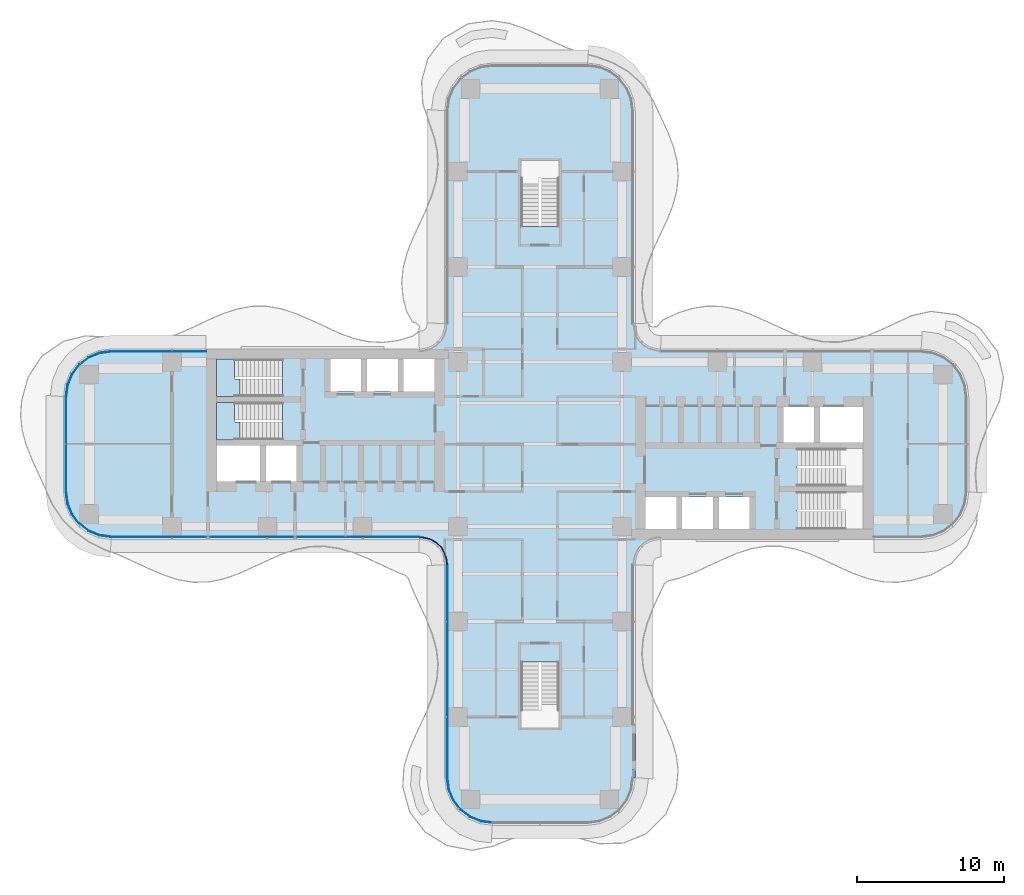
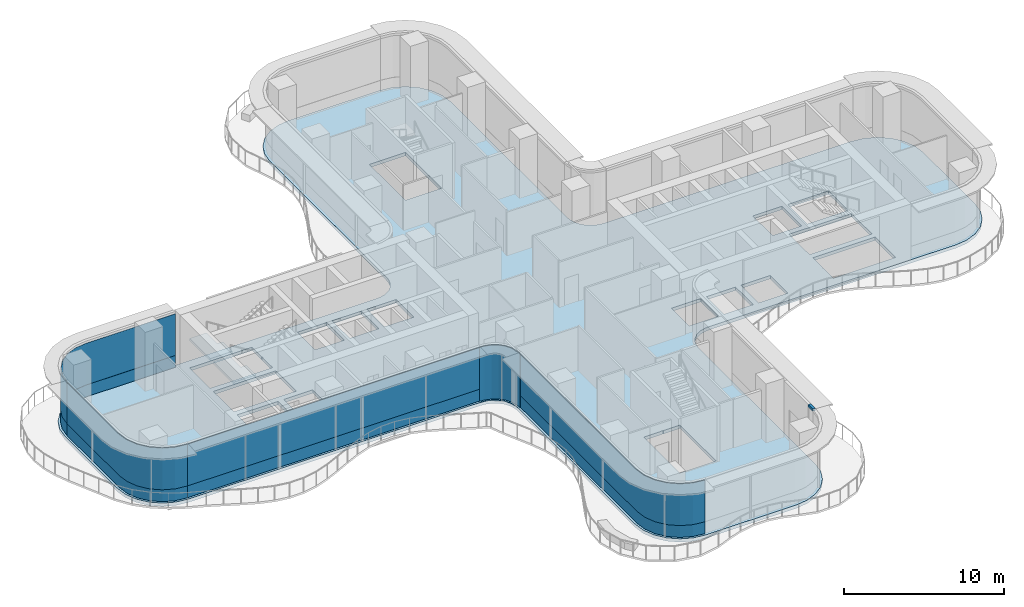
# One storey, part 12 of 21: 9 plates, 3 slabs, 1 member, 8 elements without a shape of their own.
"""IFC4 building model written with IfcOpenShell, lengths in metres."""

from ifc_helpers import new_model, si_unit, direction, frame, origin, place, context, subcontext, project, spatial, polyline, outline, extrude, source, transform, mapped, material, layer, layer_set, type_object, element, aggregate, save


model = new_model("IFC4")

# Units and contexts
model_context = context("Model", 3, precision=1e-05, world=origin(), true_north=direction((0.0, 1.0)))
body_context = subcontext(model_context, "Body", "Model", "MODEL_VIEW")
ifc_project = project(units=[si_unit("LENGTHUNIT", "METRE"), si_unit("AREAUNIT", "SQUARE_METRE"), si_unit("VOLUMEUNIT", "CUBIC_METRE"), si_unit("PLANEANGLEUNIT", "RADIAN"), si_unit("MASSUNIT", "GRAM", prefix="KILO")], contexts=[model_context])

# Site, building, storey
site_placement = place(None, origin())
site = spatial("IfcSite", under=ifc_project, at=site_placement, CompositionType="ELEMENT")
building_placement = place(site_placement, origin())
building = spatial("IfcBuilding", under=site, at=building_placement, Name="Trellis Farm Tower", CompositionType="ELEMENT")
storey_placement = place(building_placement, frame((0.0, 0.0, 138.0)))
storey = spatial("IfcBuildingStorey", under=building, at=storey_placement, Name="L29", CompositionType="ELEMENT", Elevation=138.0)

# Curtain wall, member
ifc_material_1 = material(Name="Aluminium and glass curtain wall", Category="aluminium")
ifc_layer_1 = layer(ifc_material_1, 0.18994140625)
ifc_layer_set_1 = layer_set([ifc_layer_1], Name="RIBBON CURTAIN WALL CW1")
curtain_wall_type_1 = type_object("IfcCurtainWallType", Name="RIBBON CURTAIN WALL CW1", PredefinedType="NOTDEFINED", material=ifc_layer_set_1)
placement_1 = place(storey_placement, origin())
curtain_wall_1 = element("IfcCurtainWall", 1, at=placement_1, inside=storey, type_object=curtain_wall_type_1, Name="CW1 004", PredefinedType="NOTDEFINED")
ifc_material_2 = material(Name="Aluminium extrusion 6063-T6", Category="aluminium")
ifc_layer_2 = layer(ifc_material_2, 0.199951171875)
ifc_layer_set_2 = layer_set([ifc_layer_2], Name="Aluminium extrusion 6063-T6")
member_type = type_object("IfcMemberType", Name="CW1 TRANSOM 200x180", PredefinedType="USERDEFINED", material=ifc_layer_set_2)
shared_shape_1 = source(origin(), body_context, "Body", "SweptSolid", [
    extrude(outline(polyline([(6.5, -22.75), (6.5, -22.175048828125), (6.300048828125, -22.175048828125), (6.300048828125, -22.73681640625), (6.5, -22.75)])), origin(), (0.0, 0.0, 1.0), 0.179931640625),
])
member_placement = place(storey_placement, frame((0.0, 0.0, 4.070068359375)))
member = element("IfcMember", 2, at=member_placement, type_object=member_type, Name="TR1 004", ObjectType="TRANSOM", PredefinedType="USERDEFINED", context=body_context, shape_type="MappedRepresentation", body=[
    mapped(shared_shape_1, transform((0.0, 0.0, 0.0))),
])
aggregate(curtain_wall_1, [member])

# Slab
ifc_material_3 = material(Name="Concrete C40/50", Category="concrete")
ifc_layer_3 = layer(ifc_material_3, 0.25)
ifc_layer_set_3 = layer_set([ifc_layer_3], Name="Composite deck floor slab 250")
slab_type_1 = type_object("IfcSlabType", Name="Composite deck floor slab 250", PredefinedType="FLOOR", material=ifc_layer_set_3)
shared_shape_2 = source(origin(), body_context, "Body", "SweptSolid", [
    extrude(outline(polyline([(-30.09130859375, -6.389404296875), (-30.875, -6.064697265625), (-31.548095703125, -5.548095703125), (-32.064697265625, -4.875), (-32.389404296875, -4.09130859375), (-32.5, -3.25), (-32.5, 3.25), (-32.389404296875, 4.09130859375), (-32.064697265625, 4.875), (-31.548095703125, 5.548095703125), (-30.875, 6.064697265625), (-30.09130859375, 6.389404296875), (-29.25, 6.5), (-8.2314453125, 6.5), (-8.01953125, 6.513916015625), (-7.91552734375, 6.527587890625), (-7.508544921875, 6.63671875), (-7.144287109375, 6.846923828125), (-6.846923828125, 7.144287109375), (-6.63671875, 7.508544921875), (-6.527587890625, 7.91552734375), (-6.513916015625, 8.01953125), (-6.5, 8.2314453125), (-6.5, 22.75), (-6.389404296875, 23.59130859375), (-6.064697265625, 24.375), (-5.548095703125, 25.048095703125), (-4.875, 25.564697265625), (-4.09130859375, 25.889404296875), (-3.25, 26.0), (3.25, 26.0), (4.09130859375, 25.889404296875), (4.875, 25.564697265625), (5.548095703125, 25.048095703125), (6.064697265625, 24.375), (6.389404296875, 23.59130859375), (6.5, 22.75), (6.5, 8.2314453125), (6.513916015625, 8.01953125), (6.527587890625, 7.91552734375), (6.63671875, 7.508544921875), (6.846923828125, 7.144287109375), (7.144287109375, 6.846923828125), (7.508544921875, 6.63671875), (7.91552734375, 6.527587890625), (8.01953125, 6.513916015625), (8.2314453125, 6.5), (26.0, 6.5), (26.84130859375, 6.389404296875), (27.625, 6.064697265625), (28.298095703125, 5.548095703125), (28.814697265625, 4.875), (29.139404296875, 4.09130859375), (29.25, 3.25), (29.25, -3.25), (29.139404296875, -4.09130859375), (28.814697265625, -4.875), (28.298095703125, -5.548095703125), (27.625, -6.064697265625), (26.84130859375, -6.389404296875), (26.0, -6.5), (8.2314453125, -6.5), (8.01953125, -6.513916015625), (7.91552734375, -6.527587890625), (7.508544921875, -6.63671875), (7.144287109375, -6.846923828125), (6.846923828125, -7.144287109375), (6.63671875, -7.508544921875), (6.527587890625, -7.91552734375), (6.513916015625, -8.01953125), (6.5, -8.2314453125), (6.5, -22.75), (6.389404296875, -23.59130859375), (6.064697265625, -24.375), (5.548095703125, -25.048095703125), (4.875, -25.564697265625), (4.09130859375, -25.889404296875), (3.25, -26.0), (-3.25, -26.0), (-4.09130859375, -25.889404296875), (-4.875, -25.564697265625), (-5.548095703125, -25.048095703125), (-6.064697265625, -24.375), (-6.389404296875, -23.59130859375), (-6.5, -22.75), (-6.5, -8.2314453125), (-6.513916015625, -8.01953125), (-6.527587890625, -7.91552734375), (-6.63671875, -7.508544921875), (-6.846923828125, -7.144287109375), (-7.144287109375, -6.846923828125), (-7.508544921875, -6.63671875), (-7.91552734375, -6.527587890625), (-8.01953125, -6.513916015625), (-8.2314453125, -6.5), (-29.25, -6.5), (-30.09130859375, -6.389404296875)]), holes=[polyline([(-22.050048828125, -0.10009765625), (-22.050048828125, -2.550048828125), (-19.10009765625, -2.550048828125), (-19.10009765625, -0.10009765625), (-22.050048828125, -0.10009765625)]), polyline([(-18.699951171875, -0.10009765625), (-18.699951171875, -2.550048828125), (-16.60009765625, -2.550048828125), (-16.60009765625, -0.10009765625), (-18.699951171875, -0.10009765625)]), polyline([(-17.56201171875, 1.64990234375), (-17.56201171875, 2.85009765625), (-22.050048828125, 2.85009765625), (-22.050048828125, 0.300048828125), (-17.56005859375, 0.300048828125), (-17.56005859375, 1.5), (-17.550048828125, 1.5), (-17.550048828125, 1.64990234375), (-17.56201171875, 1.64990234375)]), polyline([(-17.56201171875, 4.60009765625), (-17.56201171875, 5.800048828125), (-22.050048828125, 5.800048828125), (-22.050048828125, 3.25), (-17.56005859375, 3.25), (-17.56005859375, 4.449951171875), (-17.550048828125, 4.449951171875), (-17.550048828125, 4.60009765625), (-17.56201171875, 4.60009765625)]), polyline([(-14.300048828125, 5.800048828125), (-14.300048828125, 3.60009765625), (-12.199951171875, 3.60009765625), (-12.199951171875, 5.800048828125), (-14.300048828125, 5.800048828125)]), polyline([(-11.800048828125, 5.800048828125), (-11.800048828125, 3.60009765625), (-9.699951171875, 3.60009765625), (-9.699951171875, 5.800048828125), (-11.800048828125, 5.800048828125)]), polyline([(-9.300048828125, 5.800048828125), (-9.300048828125, 3.60009765625), (-7.199951171875, 3.60009765625), (-7.199951171875, 5.800048828125), (-9.300048828125, 5.800048828125)]), polyline([(0.10009765625, 14.862060546875), (1.300048828125, 14.862060546875), (1.300048828125, 19.35009765625), (-1.300048828125, 19.35009765625), (-1.300048828125, 14.860107421875), (-0.10009765625, 14.860107421875), (-0.10009765625, 14.85009765625), (0.10009765625, 14.85009765625), (0.10009765625, 14.862060546875)]), polyline([(-0.10009765625, -14.862060546875), (-1.300048828125, -14.862060546875), (-1.300048828125, -19.35009765625), (1.300048828125, -19.35009765625), (1.300048828125, -14.860107421875), (0.10009765625, -14.860107421875), (0.10009765625, -14.85009765625), (-0.10009765625, -14.85009765625), (-0.10009765625, -14.862060546875)]), polyline([(9.300048828125, -5.800048828125), (9.300048828125, -3.60009765625), (7.199951171875, -3.60009765625), (7.199951171875, -5.800048828125), (9.300048828125, -5.800048828125)]), polyline([(11.800048828125, -5.800048828125), (11.800048828125, -3.60009765625), (9.699951171875, -3.60009765625), (9.699951171875, -5.800048828125), (11.800048828125, -5.800048828125)]), polyline([(14.300048828125, -5.800048828125), (14.300048828125, -3.60009765625), (12.199951171875, -3.60009765625), (12.199951171875, -5.800048828125), (14.300048828125, -5.800048828125)]), polyline([(17.56201171875, -4.60009765625), (17.56201171875, -5.800048828125), (22.050048828125, -5.800048828125), (22.050048828125, -3.25), (17.56005859375, -3.25), (17.56005859375, -4.449951171875), (17.550048828125, -4.449951171875), (17.550048828125, -4.60009765625), (17.56201171875, -4.60009765625)]), polyline([(17.56201171875, -1.64990234375), (17.56201171875, -2.85009765625), (22.050048828125, -2.85009765625), (22.050048828125, -0.300048828125), (17.56005859375, -0.300048828125), (17.56005859375, -1.5), (17.550048828125, -1.5), (17.550048828125, -1.64990234375), (17.56201171875, -1.64990234375)]), polyline([(18.699951171875, 0.10009765625), (18.699951171875, 2.550048828125), (16.60009765625, 2.550048828125), (16.60009765625, 0.10009765625), (18.699951171875, 0.10009765625)]), polyline([(22.050048828125, 0.10009765625), (22.050048828125, 2.550048828125), (19.10009765625, 2.550048828125), (19.10009765625, 0.10009765625), (22.050048828125, 0.10009765625)])]), origin(), (0.0, 0.0, 1.0), 0.25),
])
slab_1_placement = place(storey_placement, frame((0.0, 0.0, -0.25)))
element("IfcSlab", 3, at=slab_1_placement, inside=storey, type_object=slab_type_1, Name="Floor slab", PredefinedType="FLOOR", context=body_context, shape_type="MappedRepresentation", body=[
    mapped(shared_shape_2, transform((0.0, 0.0, 0.0))),
])

# Stair, slab
ifc_material_4 = material(Name="Concrete C50/60", Category="concrete")
stair_type = type_object("IfcStairType", Name="CORE EXIT STAIR 26 RISERS 173 MM", PredefinedType="HALF_TURN_STAIR", material=ifc_material_4)
stair_1 = element("IfcStair", 4, at=placement_1, inside=storey, type_object=stair_type, Name="Exit stair W1", PredefinedType="HALF_TURN_STAIR")
ifc_layer_4 = layer(ifc_material_4, 0.18994140625)
ifc_layer_set_4 = layer_set([ifc_layer_4], Name="CORE STAIR LANDING 190 CONCRETE C50/60")
slab_type_2 = type_object("IfcSlabType", Name="CORE STAIR LANDING 190 CONCRETE C50/60", PredefinedType="LANDING", material=ifc_layer_set_4)
shared_shape_3 = source(origin(), body_context, "Body", "SweptSolid", [
    extrude(outline(polyline([(-20.453125, 4.449951171875), (-20.453125, 3.25), (-20.85009765625, 3.25), (-22.050048828125, 3.25), (-22.050048828125, 5.800048828125), (-20.85009765625, 5.800048828125), (-20.840087890625, 5.800048828125), (-20.840087890625, 4.60009765625), (-20.85009765625, 4.60009765625), (-20.85009765625, 4.449951171875), (-20.453125, 4.449951171875)])), origin(), (0.0, 0.0, 1.0), 0.18994140625),
])
placement_2 = place(storey_placement, frame((0.0, 0.0, 2.06005859375)))
slab_2 = element("IfcSlab", 5, at=placement_2, type_object=slab_type_2, Name="STW1 landing 1", PredefinedType="LANDING", context=body_context, shape_type="MappedRepresentation", body=[
    mapped(shared_shape_3, transform((0.0, 0.0, 0.0))),
])
aggregate(stair_1, [slab_2])

stair_2 = element("IfcStair", 6, at=placement_1, inside=storey, type_object=stair_type, Name="Exit stair W2", PredefinedType="HALF_TURN_STAIR")
shared_shape_4 = source(origin(), body_context, "Body", "SweptSolid", [
    extrude(outline(polyline([(-20.453125, 1.5), (-20.453125, 0.300048828125), (-20.85009765625, 0.300048828125), (-22.050048828125, 0.300048828125), (-22.050048828125, 2.85009765625), (-20.85009765625, 2.85009765625), (-20.840087890625, 2.85009765625), (-20.840087890625, 1.64990234375), (-20.85009765625, 1.64990234375), (-20.85009765625, 1.5), (-20.453125, 1.5)])), origin(), (0.0, 0.0, 1.0), 0.18994140625),
])
slab_3 = element("IfcSlab", 7, at=placement_2, type_object=slab_type_2, Name="STW2 landing 1", PredefinedType="LANDING", context=body_context, shape_type="MappedRepresentation", body=[
    mapped(shared_shape_4, transform((0.0, 0.0, 0.0))),
])
aggregate(stair_2, [slab_3])

# Curtain wall, plates
curtain_wall_2 = element("IfcCurtainWall", 8, at=placement_1, inside=storey, type_object=curtain_wall_type_1, Name="CW1 001", PredefinedType="NOTDEFINED")
ifc_material_5 = material(Name="Clear insulated glass", Category="glass")
ifc_layer_5 = layer(ifc_material_5, 0.0400390625)
ifc_layer_set_5 = layer_set([ifc_layer_5], Name="CW1 GLASS PANEL 40")
plate_type_1 = type_object("IfcPlateType", Name="CW1 GLASS PANEL 40", PredefinedType="CURTAIN_PANEL", material=ifc_layer_set_5)
shared_shape_5 = source(origin(), body_context, "Body", "SweptSolid", [
    extrude(outline(polyline([(-29.240234375, -6.35009765625), (-8.2265625, -6.35009765625), (-8.22509765625, -6.31005859375), (-29.237548828125, -6.31005859375), (-29.240234375, -6.35009765625)])), origin(), (0.0, 0.0, 1.0), 3.170166015625),
])
placement_3 = place(storey_placement, frame((0.0, 0.0, 0.89990234375)))
plate_1 = element("IfcPlate", 9, at=placement_3, type_object=plate_type_1, Name="PL1 001", PredefinedType="CURTAIN_PANEL", context=body_context, shape_type="MappedRepresentation", body=[
    mapped(shared_shape_5, transform((0.0, 0.0, 0.0))),
])
ifc_material_6 = material(Name="Sandstone faced insulated panel", Category="masonry")
ifc_layer_6 = layer(ifc_material_6, 0.050048828125)
ifc_layer_set_6 = layer_set([ifc_layer_6], Name="CW1 STONE SPANDREL PANEL 50")
plate_type_2 = type_object("IfcPlateType", Name="CW1 STONE SPANDREL PANEL 50", PredefinedType="CURTAIN_PANEL", material=ifc_layer_set_6)
shared_shape_6 = source(origin(), body_context, "Body", "SweptSolid", [
    extrude(outline(polyline([(-29.240234375, -6.35009765625), (-8.2265625, -6.35009765625), (-8.224853515625, -6.300048828125), (-29.23681640625, -6.300048828125), (-29.240234375, -6.35009765625)])), origin(), (0.0, 0.0, 1.0), 0.89990234375),
])
plate_2 = element("IfcPlate", 10, at=placement_1, type_object=plate_type_2, Name="PS1 001", PredefinedType="CURTAIN_PANEL", context=body_context, shape_type="MappedRepresentation", body=[
    mapped(shared_shape_6, transform((0.0, 0.0, 0.0))),
])
aggregate(curtain_wall_2, [plate_1, plate_2])

# Curtain wall, plate
ifc_layer_7 = layer(ifc_material_1, 0.166015625)
ifc_layer_set_7 = layer_set([ifc_layer_7], Name="WINTER GARDEN CURTAIN WALL CW3")
curtain_wall_type_2 = type_object("IfcCurtainWallType", Name="WINTER GARDEN CURTAIN WALL CW3", PredefinedType="NOTDEFINED", material=ifc_layer_set_7)
curtain_wall_3 = element("IfcCurtainWall", 11, at=placement_1, inside=storey, type_object=curtain_wall_type_2, Name="CW3 001", PredefinedType="NOTDEFINED")
ifc_layer_8 = layer(ifc_material_5, 0.0458984375)
ifc_layer_set_8 = layer_set([ifc_layer_8], Name="CW3 GLASS PANEL 46")
plate_type_3 = type_object("IfcPlateType", Name="CW3 GLASS PANEL 46", PredefinedType="CURTAIN_PANEL", material=ifc_layer_set_8)
shared_shape_7 = source(origin(), body_context, "Body", "SweptSolid", [
    extrude(outline(polyline([(-8.2275390625, -6.3798828125), (-8.0078125, -6.394287109375), (-7.89208984375, -6.40966796875), (-7.462158203125, -6.52490234375), (-7.070556640625, -6.7509765625), (-6.7509765625, -7.070556640625), (-6.52490234375, -7.462158203125), (-6.40966796875, -7.89208984375), (-6.394287109375, -8.0078125), (-6.3798828125, -8.2275390625), (-6.333984375, -8.22607421875), (-6.3486328125, -8.003173828125), (-6.364501953125, -7.883056640625), (-6.48193359375, -7.4443359375), (-6.714111328125, -7.04248046875), (-7.04248046875, -6.714111328125), (-7.4443359375, -6.48193359375), (-7.883056640625, -6.364501953125), (-8.003173828125, -6.3486328125), (-8.22607421875, -6.333984375), (-8.2275390625, -6.3798828125)])), origin(), (0.0, 0.0, 1.0), 4.10009765625),
])
plate_3 = element("IfcPlate", 12, at=placement_1, type_object=plate_type_3, Name="PL3 001", PredefinedType="CURTAIN_PANEL", context=body_context, shape_type="MappedRepresentation", body=[
    mapped(shared_shape_7, transform((0.0, 0.0, 0.0))),
])
aggregate(curtain_wall_3, [plate_3])

# Curtain wall, plates
curtain_wall_4 = element("IfcCurtainWall", 13, at=placement_1, inside=storey, type_object=curtain_wall_type_1, Name="CW1 012", PredefinedType="NOTDEFINED")
shared_shape_8 = source(origin(), body_context, "Body", "SweptSolid", [
    extrude(outline(polyline([(-22.780029296875, 6.35009765625), (-29.240234375, 6.35009765625), (-30.052001953125, 6.2431640625), (-30.79931640625, 5.93359375), (-31.441162109375, 5.441162109375), (-31.93359375, 4.79931640625), (-32.2431640625, 4.052001953125), (-32.35009765625, 3.240234375), (-32.31005859375, 3.237548828125), (-32.2041015625, 4.04150390625), (-31.898681640625, 4.779296875), (-31.41259765625, 5.41259765625), (-30.779296875, 5.898681640625), (-30.04150390625, 6.2041015625), (-29.237548828125, 6.31005859375), (-22.780029296875, 6.31005859375), (-22.780029296875, 6.35009765625)])), origin(), (0.0, 0.0, 1.0), 3.170166015625),
])
plate_4 = element("IfcPlate", 14, at=placement_3, type_object=plate_type_1, Name="PL1 012", PredefinedType="CURTAIN_PANEL", context=body_context, shape_type="MappedRepresentation", body=[
    mapped(shared_shape_8, transform((0.0, 0.0, 0.0))),
])
shared_shape_9 = source(origin(), body_context, "Body", "SweptSolid", [
    extrude(outline(polyline([(-22.780029296875, 6.35009765625), (-29.240234375, 6.35009765625), (-30.052001953125, 6.2431640625), (-30.79931640625, 5.93359375), (-31.441162109375, 5.441162109375), (-31.93359375, 4.79931640625), (-32.2431640625, 4.052001953125), (-32.35009765625, 3.240234375), (-32.300048828125, 3.23681640625), (-32.1943359375, 4.0390625), (-31.889892578125, 4.774169921875), (-31.405517578125, 5.405517578125), (-30.774169921875, 5.889892578125), (-30.0390625, 6.1943359375), (-29.23681640625, 6.300048828125), (-22.780029296875, 6.300048828125), (-22.780029296875, 6.35009765625)])), origin(), (0.0, 0.0, 1.0), 0.89990234375),
])
plate_5 = element("IfcPlate", 15, at=placement_1, type_object=plate_type_2, Name="PS1 012", PredefinedType="CURTAIN_PANEL", context=body_context, shape_type="MappedRepresentation", body=[
    mapped(shared_shape_9, transform((0.0, 0.0, 0.0))),
])
aggregate(curtain_wall_4, [plate_4, plate_5])

curtain_wall_5 = element("IfcCurtainWall", 16, at=placement_1, inside=storey, type_object=curtain_wall_type_1, Name="CW1 013", PredefinedType="NOTDEFINED")
shared_shape_10 = source(origin(), body_context, "Body", "SweptSolid", [
    extrude(outline(polyline([(-32.35009765625, 3.240234375), (-32.35009765625, -3.240234375), (-32.2431640625, -4.052001953125), (-31.93359375, -4.79931640625), (-31.441162109375, -5.441162109375), (-30.79931640625, -5.93359375), (-30.052001953125, -6.2431640625), (-29.240234375, -6.35009765625), (-29.237548828125, -6.31005859375), (-30.04150390625, -6.2041015625), (-30.779296875, -5.898681640625), (-31.41259765625, -5.41259765625), (-31.898681640625, -4.779296875), (-32.2041015625, -4.04150390625), (-32.31005859375, -3.237548828125), (-32.31005859375, 3.237548828125), (-32.35009765625, 3.240234375)])), origin(), (0.0, 0.0, 1.0), 3.170166015625),
])
plate_6 = element("IfcPlate", 17, at=placement_3, type_object=plate_type_1, Name="PL1 013", PredefinedType="CURTAIN_PANEL", context=body_context, shape_type="MappedRepresentation", body=[
    mapped(shared_shape_10, transform((0.0, 0.0, 0.0))),
])
shared_shape_11 = source(origin(), body_context, "Body", "SweptSolid", [
    extrude(outline(polyline([(-32.35009765625, 3.240234375), (-32.35009765625, -3.240234375), (-32.2431640625, -4.052001953125), (-31.93359375, -4.79931640625), (-31.441162109375, -5.441162109375), (-30.79931640625, -5.93359375), (-30.052001953125, -6.2431640625), (-29.240234375, -6.35009765625), (-29.23681640625, -6.300048828125), (-30.0390625, -6.1943359375), (-30.774169921875, -5.889892578125), (-31.405517578125, -5.405517578125), (-31.889892578125, -4.774169921875), (-32.1943359375, -4.0390625), (-32.300048828125, -3.23681640625), (-32.300048828125, 3.23681640625), (-32.35009765625, 3.240234375)])), origin(), (0.0, 0.0, 1.0), 0.89990234375),
])
plate_7 = element("IfcPlate", 18, at=placement_1, type_object=plate_type_2, Name="PS1 013", PredefinedType="CURTAIN_PANEL", context=body_context, shape_type="MappedRepresentation", body=[
    mapped(shared_shape_11, transform((0.0, 0.0, 0.0))),
])
aggregate(curtain_wall_5, [plate_6, plate_7])

curtain_wall_6 = element("IfcCurtainWall", 19, at=placement_1, inside=storey, type_object=curtain_wall_type_1, Name="CW1 002", PredefinedType="NOTDEFINED")
shared_shape_12 = source(origin(), body_context, "Body", "SweptSolid", [
    extrude(outline(polyline([(-6.35009765625, -8.2265625), (-6.35009765625, -22.740234375), (-6.2431640625, -23.552001953125), (-5.93359375, -24.29931640625), (-5.441162109375, -24.941162109375), (-4.79931640625, -25.43359375), (-4.052001953125, -25.7431640625), (-3.240234375, -25.85009765625), (-3.237548828125, -25.81005859375), (-4.04150390625, -25.7041015625), (-4.779296875, -25.398681640625), (-5.41259765625, -24.91259765625), (-5.898681640625, -24.279296875), (-6.2041015625, -23.54150390625), (-6.31005859375, -22.737548828125), (-6.31005859375, -8.22509765625), (-6.35009765625, -8.2265625)])), origin(), (0.0, 0.0, 1.0), 3.170166015625),
])
plate_8 = element("IfcPlate", 20, at=placement_3, type_object=plate_type_1, Name="PL1 002", PredefinedType="CURTAIN_PANEL", context=body_context, shape_type="MappedRepresentation", body=[
    mapped(shared_shape_12, transform((0.0, 0.0, 0.0))),
])
shared_shape_13 = source(origin(), body_context, "Body", "SweptSolid", [
    extrude(outline(polyline([(-6.35009765625, -8.2265625), (-6.35009765625, -22.740234375), (-6.2431640625, -23.552001953125), (-5.93359375, -24.29931640625), (-5.441162109375, -24.941162109375), (-4.79931640625, -25.43359375), (-4.052001953125, -25.7431640625), (-3.240234375, -25.85009765625), (-3.23681640625, -25.800048828125), (-4.0390625, -25.6943359375), (-4.774169921875, -25.389892578125), (-5.405517578125, -24.905517578125), (-5.889892578125, -24.274169921875), (-6.1943359375, -23.5390625), (-6.300048828125, -22.73681640625), (-6.300048828125, -8.224853515625), (-6.35009765625, -8.2265625)])), origin(), (0.0, 0.0, 1.0), 0.89990234375),
])
plate_9 = element("IfcPlate", 21, at=placement_1, type_object=plate_type_2, Name="PS1 002", PredefinedType="CURTAIN_PANEL", context=body_context, shape_type="MappedRepresentation", body=[
    mapped(shared_shape_13, transform((0.0, 0.0, 0.0))),
])
aggregate(curtain_wall_6, [plate_8, plate_9])

save(model, "model.ifc")
